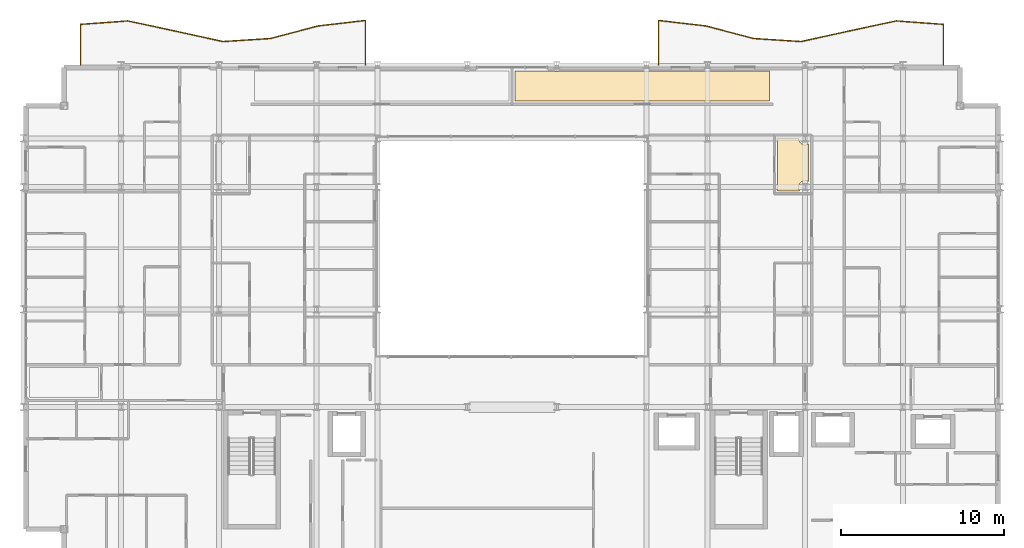
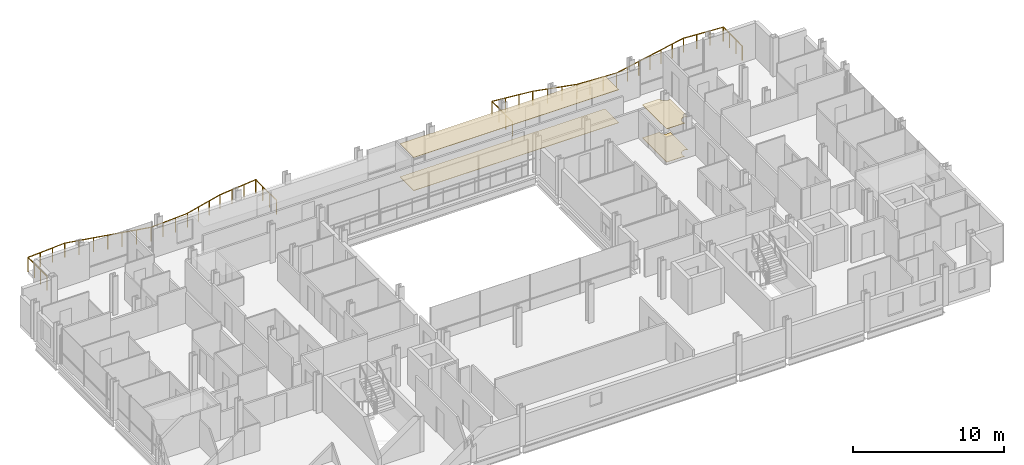
# One storey, part 41 of 41: 4 coverings, 2 railings.
"""IFC4 building model written with IfcOpenShell, lengths in metres."""

from ifc_helpers import new_model, si_unit, direction, frame, origin, origin_2d, place, context, subcontext, project, spatial, polyline, circle, outline, extrude, material, layer, layer_set, type_object, element, save


model = new_model("IFC4")

# Units and contexts
model_context = context("Model", 3, precision=1e-05, world=origin(), true_north=direction((0.0, 1.0)))
body_context = subcontext(model_context, "Body", "Model", "MODEL_VIEW")
ifc_project = project(units=[si_unit("LENGTHUNIT", "METRE"), si_unit("AREAUNIT", "SQUARE_METRE"), si_unit("VOLUMEUNIT", "CUBIC_METRE"), si_unit("PLANEANGLEUNIT", "RADIAN"), si_unit("MASSUNIT", "GRAM", prefix="KILO")], contexts=[model_context])

# Site, building, storey
site_placement = place(None, origin())
site = spatial("IfcSite", under=ifc_project, at=site_placement, CompositionType="ELEMENT")
building_placement = place(site_placement, origin())
building = spatial("IfcBuilding", under=site, at=building_placement, Name="Brevholm Reach", CompositionType="ELEMENT")
storey_placement = place(building_placement, frame((0.0, 0.0, 74.5)))
storey = spatial("IfcBuildingStorey", under=building, at=storey_placement, Name="L21", CompositionType="ELEMENT", Elevation=74.5)

# Coverings
ifc_material_1 = material(Name="Moisture-Resistant Skimmed Gypsum Plasterboard Ceiling", Category="gypsum")
ifc_layer_1 = layer(ifc_material_1, 0.030029296875)
ifc_layer_set_1 = layer_set([ifc_layer_1], Name="Moisture-Resistant Skimmed Gypsum Plasterboard Ceiling")
covering_type_1 = type_object("IfcCoveringType", Name="COV-CLG-GYP", PredefinedType="CEILING", material=ifc_layer_set_1)
covering_1_placement = place(storey_placement, frame((0.0, 0.0, 2.669921875)))
element("IfcCovering", 1, at=covering_1_placement, inside=storey, type_object=covering_type_1, Name="L21 Suspended Ceiling L21-59", PredefinedType="CEILING", context=body_context, shape_type="SweptSolid", body=[
    extrude(outline(polyline([(46.2919921875, 26.51611328125), (47.600830078125, 26.51611328125), (47.60009765625, 26.5), (47.601806640625, 26.460693359375), (47.607666015625, 26.422119140625), (47.6171875, 26.3837890625), (47.63037109375, 26.346923828125), (47.647216796875, 26.311279296875), (47.66748046875, 26.27783203125), (47.69091796875, 26.24609375), (47.71728515625, 26.21728515625), (47.74609375, 26.19091796875), (47.77783203125, 26.16748046875), (47.811279296875, 26.147216796875), (47.846923828125, 26.13037109375), (47.8837890625, 26.1171875), (47.922119140625, 26.107666015625), (47.960693359375, 26.101806640625), (48.0, 26.10009765625), (48.039306640625, 26.101806640625), (48.077880859375, 26.107666015625), (48.1162109375, 26.1171875), (48.153076171875, 26.13037109375), (48.188720703125, 26.147216796875), (48.216064453125, 26.163818359375), (48.216064453125, 23.836181640625), (48.188720703125, 23.852783203125), (48.153076171875, 23.86962890625), (48.1162109375, 23.8828125), (48.077880859375, 23.892333984375), (48.039306640625, 23.898193359375), (48.0, 23.89990234375), (47.960693359375, 23.898193359375), (47.922119140625, 23.892333984375), (47.8837890625, 23.8828125), (47.846923828125, 23.86962890625), (47.811279296875, 23.852783203125), (47.77783203125, 23.83251953125), (47.74609375, 23.80908203125), (47.71728515625, 23.78271484375), (47.69091796875, 23.75390625), (47.66748046875, 23.72216796875), (47.647216796875, 23.688720703125), (47.63037109375, 23.653076171875), (47.6171875, 23.6162109375), (47.607666015625, 23.577880859375), (47.601806640625, 23.539306640625), (47.60009765625, 23.5), (47.601806640625, 23.460693359375), (47.607666015625, 23.422119140625), (47.6171875, 23.3837890625), (47.63037109375, 23.346923828125), (47.647216796875, 23.311279296875), (47.666015625, 23.280029296875), (46.2919921875, 23.280029296875), (46.2919921875, 26.51611328125)])), origin(), (0.0, 0.0, 1.0), 0.030029296875),
])
covering_2_placement = place(storey_placement, frame((0.0, 0.0, 2.669921875)))
element("IfcCovering", 2, at=covering_2_placement, inside=storey, type_object=covering_type_1, Name="L21 Suspended Ceiling L21-76", PredefinedType="CEILING", context=body_context, shape_type="SweptSolid", body=[
    extrude(outline(polyline([(32.626220703125, 30.6201171875), (32.6337890625, 30.6171875), (32.672119140625, 30.607666015625), (32.710693359375, 30.601806640625), (32.75, 30.60009765625), (32.789306640625, 30.601806640625), (32.827880859375, 30.607666015625), (32.8662109375, 30.6171875), (32.873779296875, 30.6201171875), (38.126220703125, 30.6201171875), (38.1337890625, 30.6171875), (38.172119140625, 30.607666015625), (38.210693359375, 30.601806640625), (38.25, 30.60009765625), (38.289306640625, 30.601806640625), (38.327880859375, 30.607666015625), (38.3662109375, 30.6171875), (38.373779296875, 30.6201171875), (41.876220703125, 30.6201171875), (41.8837890625, 30.6171875), (41.922119140625, 30.607666015625), (41.960693359375, 30.601806640625), (42.0, 30.60009765625), (42.039306640625, 30.601806640625), (42.077880859375, 30.607666015625), (42.1162109375, 30.6171875), (42.123779296875, 30.6201171875), (45.820068359375, 30.6201171875), (45.820068359375, 28.783935546875), (30.18408203125, 28.783935546875), (30.18408203125, 30.6201171875), (32.626220703125, 30.6201171875)])), origin(), (0.0, 0.0, 1.0), 0.030029296875),
])
ifc_material_2 = material(Name="Engineered European Oak Acoustic Plank Flooring", Category="timber")
ifc_layer_2 = layer(ifc_material_2, 0.02197265625)
ifc_layer_set_2 = layer_set([ifc_layer_2], Name="Engineered European Oak Acoustic Plank Flooring")
covering_type_2 = type_object("IfcCoveringType", Name="COV-FLR-OAK", PredefinedType="FLOORING", material=ifc_layer_set_2)
covering_3_placement = place(storey_placement, origin())
element("IfcCovering", 3, at=covering_3_placement, inside=storey, type_object=covering_type_2, Name="L21 Floor Finish L21-59", PredefinedType="FLOORING", context=body_context, shape_type="SweptSolid", body=[
    extrude(outline(polyline([(46.2919921875, 26.51611328125), (47.600830078125, 26.51611328125), (47.60009765625, 26.5), (47.601806640625, 26.460693359375), (47.607666015625, 26.422119140625), (47.6171875, 26.3837890625), (47.63037109375, 26.346923828125), (47.647216796875, 26.311279296875), (47.66748046875, 26.27783203125), (47.69091796875, 26.24609375), (47.71728515625, 26.21728515625), (47.74609375, 26.19091796875), (47.77783203125, 26.16748046875), (47.811279296875, 26.147216796875), (47.846923828125, 26.13037109375), (47.8837890625, 26.1171875), (47.922119140625, 26.107666015625), (47.960693359375, 26.101806640625), (48.0, 26.10009765625), (48.039306640625, 26.101806640625), (48.077880859375, 26.107666015625), (48.1162109375, 26.1171875), (48.153076171875, 26.13037109375), (48.188720703125, 26.147216796875), (48.216064453125, 26.163818359375), (48.216064453125, 23.836181640625), (48.188720703125, 23.852783203125), (48.153076171875, 23.86962890625), (48.1162109375, 23.8828125), (48.077880859375, 23.892333984375), (48.039306640625, 23.898193359375), (48.0, 23.89990234375), (47.960693359375, 23.898193359375), (47.922119140625, 23.892333984375), (47.8837890625, 23.8828125), (47.846923828125, 23.86962890625), (47.811279296875, 23.852783203125), (47.77783203125, 23.83251953125), (47.74609375, 23.80908203125), (47.71728515625, 23.78271484375), (47.69091796875, 23.75390625), (47.66748046875, 23.72216796875), (47.647216796875, 23.688720703125), (47.63037109375, 23.653076171875), (47.6171875, 23.6162109375), (47.607666015625, 23.577880859375), (47.601806640625, 23.539306640625), (47.60009765625, 23.5), (47.601806640625, 23.460693359375), (47.607666015625, 23.422119140625), (47.6171875, 23.3837890625), (47.63037109375, 23.346923828125), (47.647216796875, 23.311279296875), (47.666015625, 23.280029296875), (46.2919921875, 23.280029296875), (46.2919921875, 26.51611328125)])), origin(), (0.0, 0.0, 1.0), 0.02197265625),
])
ifc_material_3 = material(Name="Honed Portland-Aggregate Resin Terrazzo Flooring", Category="concrete")
ifc_layer_3 = layer(ifc_material_3, 0.031982421875)
ifc_layer_set_3 = layer_set([ifc_layer_3], Name="Honed Portland-Aggregate Resin Terrazzo Flooring")
covering_type_3 = type_object("IfcCoveringType", Name="COV-FLR-TRZ", PredefinedType="FLOORING", material=ifc_layer_set_3)
covering_4_placement = place(storey_placement, origin())
element("IfcCovering", 4, at=covering_4_placement, inside=storey, type_object=covering_type_3, Name="L21 Floor Finish L21-76", PredefinedType="FLOORING", context=body_context, shape_type="SweptSolid", body=[
    extrude(outline(polyline([(32.626220703125, 30.6201171875), (32.6337890625, 30.6171875), (32.672119140625, 30.607666015625), (32.710693359375, 30.601806640625), (32.75, 30.60009765625), (32.789306640625, 30.601806640625), (32.827880859375, 30.607666015625), (32.8662109375, 30.6171875), (32.873779296875, 30.6201171875), (38.126220703125, 30.6201171875), (38.1337890625, 30.6171875), (38.172119140625, 30.607666015625), (38.210693359375, 30.601806640625), (38.25, 30.60009765625), (38.289306640625, 30.601806640625), (38.327880859375, 30.607666015625), (38.3662109375, 30.6171875), (38.373779296875, 30.6201171875), (41.876220703125, 30.6201171875), (41.8837890625, 30.6171875), (41.922119140625, 30.607666015625), (41.960693359375, 30.601806640625), (42.0, 30.60009765625), (42.039306640625, 30.601806640625), (42.077880859375, 30.607666015625), (42.1162109375, 30.6171875), (42.123779296875, 30.6201171875), (45.820068359375, 30.6201171875), (45.820068359375, 28.783935546875), (30.18408203125, 28.783935546875), (30.18408203125, 30.6201171875), (32.626220703125, 30.6201171875)])), origin(), (0.0, 0.0, 1.0), 0.031982421875),
])

# Railings
ifc_material_4 = material(Name="Brushed Stainless Steel EN 1.4401 and Laminated Glass", Category="steel")
railing_type = type_object("IfcRailingType", Name="RAL-BALC-1150", PredefinedType="BALUSTRADE", material=ifc_material_4)
railing_1_placement = place(storey_placement, frame((56.5, 31.0, 0.0)))
element("IfcRailing", 5, at=railing_1_placement, inside=storey, type_object=railing_type, Name="L21 Guard Balustrade RAL-L21-BAL-NE", PredefinedType="BALUSTRADE", context=body_context, shape_type="SweptSolid", body=[
    extrude(circle(Radius=0.02392578125, at=origin_2d()), frame((0.0, 0.0, 1.1259765625), z_axis=(0.0, 1.0, 0.0), x_axis=(-1.0, 0.0, 0.0)), (0.0, 0.0, 1.0), 2.499755859375),
    extrude(circle(Radius=0.02392578125, at=origin_2d()), frame((0.0, 2.499755859375, 1.1259765625), z_axis=(-0.997334760815, 0.072961461535, 0.0), x_axis=(-0.072961461535, -0.997334760815, 0.0)), (0.0, 0.0, 1.0), 2.924560546875),
    extrude(circle(Radius=0.02392578125, at=origin_2d()), frame((-2.916748046875, 2.713134765625, 1.1259765625), z_axis=(-0.977716094956, -0.209931507079, 0.0), x_axis=(0.209931507079, -0.977716094956, 0.0)), (0.0, 0.0, 1.0), 2.98291015625),
    extrude(circle(Radius=0.02392578125, at=origin_2d()), frame((-5.833251953125, 2.0869140625, 1.1259765625), z_axis=(-0.976615982801, -0.214991214093, 0.0), x_axis=(0.214991214093, -0.976615982801, 0.0)), (0.0, 0.0, 1.0), 2.986572265625),
    extrude(circle(Radius=0.02392578125, at=origin_2d()), frame((-8.75, 1.44482421875, 1.1259765625), z_axis=(-0.997945514781, 0.06406831923, 0.0), x_axis=(-0.06406831923, -0.997945514781, 0.0)), (0.0, 0.0, 1.0), 2.9228515625),
    extrude(circle(Radius=0.02392578125, at=origin_2d()), frame((-11.666748046875, 1.632080078125, 1.1259765625), z_axis=(-0.966868735292, 0.255274065889, 0.0), x_axis=(-0.255274065889, -0.966868735292, 0.0)), (0.0, 0.0, 1.0), 3.016357421875),
    extrude(circle(Radius=0.02392578125, at=origin_2d()), frame((-14.583251953125, 2.402099609375, 1.1259765625), z_axis=(-0.99329006652, 0.11564965954, 0.0), x_axis=(-0.11564965954, -0.99329006652, 0.0)), (0.0, 0.0, 1.0), 2.9365234375),
    extrude(circle(Radius=0.02392578125, at=origin_2d()), frame((-17.5, 2.74169921875, 1.1259765625), z_axis=(0.0, -1.0, 0.0), x_axis=(1.0, 0.0, 0.0)), (0.0, 0.0, 1.0), 2.74169921875),
    extrude(circle(Radius=0.02099609375, at=origin_2d()), origin(), (0.0, 0.0, 1.0), 1.101806640625),
    extrude(circle(Radius=0.02099609375, at=origin_2d()), frame((0.0, 0.833251953125, 0.0)), (0.0, 0.0, 1.0), 1.101806640625),
    extrude(circle(Radius=0.02099609375, at=origin_2d()), frame((0.0, 1.66650390625, 0.0)), (0.0, 0.0, 1.0), 1.101806640625),
    extrude(circle(Radius=0.02099609375, at=origin_2d()), frame((0.0, 2.499755859375, 0.0)), (0.0, 0.0, 1.0), 1.101806640625),
    extrude(circle(Radius=0.02099609375, at=origin_2d()), frame((-0.97216796875, 2.57080078125, 0.0)), (0.0, 0.0, 1.0), 1.101806640625),
    extrude(circle(Radius=0.02099609375, at=origin_2d()), frame((-1.944580078125, 2.64208984375, 0.0)), (0.0, 0.0, 1.0), 1.101806640625),
    extrude(circle(Radius=0.02099609375, at=origin_2d()), frame((-2.916748046875, 2.713134765625, 0.0)), (0.0, 0.0, 1.0), 1.101806640625),
    extrude(circle(Radius=0.02099609375, at=origin_2d()), frame((-3.888916015625, 2.50439453125, 0.0)), (0.0, 0.0, 1.0), 1.101806640625),
    extrude(circle(Radius=0.02099609375, at=origin_2d()), frame((-4.861083984375, 2.295654296875, 0.0)), (0.0, 0.0, 1.0), 1.101806640625),
    extrude(circle(Radius=0.02099609375, at=origin_2d()), frame((-5.833251953125, 2.0869140625, 0.0)), (0.0, 0.0, 1.0), 1.101806640625),
    extrude(circle(Radius=0.02099609375, at=origin_2d()), frame((-6.805419921875, 1.872802734375, 0.0)), (0.0, 0.0, 1.0), 1.101806640625),
    extrude(circle(Radius=0.02099609375, at=origin_2d()), frame((-7.77783203125, 1.658935546875, 0.0)), (0.0, 0.0, 1.0), 1.101806640625),
    extrude(circle(Radius=0.02099609375, at=origin_2d()), frame((-8.75, 1.44482421875, 0.0)), (0.0, 0.0, 1.0), 1.101806640625),
    extrude(circle(Radius=0.02099609375, at=origin_2d()), frame((-9.72216796875, 1.50732421875, 0.0)), (0.0, 0.0, 1.0), 1.101806640625),
    extrude(circle(Radius=0.02099609375, at=origin_2d()), frame((-10.694580078125, 1.569580078125, 0.0)), (0.0, 0.0, 1.0), 1.101806640625),
    extrude(circle(Radius=0.02099609375, at=origin_2d()), frame((-11.666748046875, 1.632080078125, 0.0)), (0.0, 0.0, 1.0), 1.101806640625),
    extrude(circle(Radius=0.02099609375, at=origin_2d()), frame((-12.638916015625, 1.888671875, 0.0)), (0.0, 0.0, 1.0), 1.101806640625),
    extrude(circle(Radius=0.02099609375, at=origin_2d()), frame((-13.611083984375, 2.1455078125, 0.0)), (0.0, 0.0, 1.0), 1.101806640625),
    extrude(circle(Radius=0.02099609375, at=origin_2d()), frame((-14.583251953125, 2.402099609375, 0.0)), (0.0, 0.0, 1.0), 1.101806640625),
    extrude(circle(Radius=0.02099609375, at=origin_2d()), frame((-15.555419921875, 2.515380859375, 0.0)), (0.0, 0.0, 1.0), 1.101806640625),
    extrude(circle(Radius=0.02099609375, at=origin_2d()), frame((-16.52783203125, 2.62841796875, 0.0)), (0.0, 0.0, 1.0), 1.101806640625),
    extrude(circle(Radius=0.02099609375, at=origin_2d()), frame((-17.5, 2.74169921875, 0.0)), (0.0, 0.0, 1.0), 1.101806640625),
    extrude(circle(Radius=0.02099609375, at=origin_2d()), frame((-17.5, 1.827880859375, 0.0)), (0.0, 0.0, 1.0), 1.101806640625),
    extrude(circle(Radius=0.02099609375, at=origin_2d()), frame((-17.5, 0.913818359375, 0.0)), (0.0, 0.0, 1.0), 1.101806640625),
    extrude(circle(Radius=0.02099609375, at=origin_2d()), frame((-17.5, 0.0, 0.0)), (0.0, 0.0, 1.0), 1.101806640625),
])
railing_2_placement = place(storey_placement, frame((21.0, 31.0, 0.0)))
element("IfcRailing", 6, at=railing_2_placement, inside=storey, type_object=railing_type, Name="L21 Guard Balustrade RAL-L21-BAL-NW", PredefinedType="BALUSTRADE", context=body_context, shape_type="SweptSolid", body=[
    extrude(circle(Radius=0.02392578125, at=origin_2d()), frame((0.0, 0.0, 1.1259765625), z_axis=(0.0, 1.0, 0.0), x_axis=(-1.0, 0.0, 0.0)), (0.0, 0.0, 1.0), 2.74169921875),
    extrude(circle(Radius=0.02392578125, at=origin_2d()), frame((0.0, 2.74169921875, 1.1259765625), z_axis=(-0.99329006652, -0.11564965954, 0.0), x_axis=(0.11564965954, -0.99329006652, 0.0)), (0.0, 0.0, 1.0), 2.9365234375),
    extrude(circle(Radius=0.02392578125, at=origin_2d()), frame((-2.916748046875, 2.402099609375, 1.1259765625), z_axis=(-0.966868735292, -0.255274065889, 0.0), x_axis=(0.255274065889, -0.966868735292, 0.0)), (0.0, 0.0, 1.0), 3.016357421875),
    extrude(circle(Radius=0.02392578125, at=origin_2d()), frame((-5.833251953125, 1.632080078125, 1.1259765625), z_axis=(-0.997945514781, -0.06406831923, 0.0), x_axis=(0.06406831923, -0.997945514781, 0.0)), (0.0, 0.0, 1.0), 2.9228515625),
    extrude(circle(Radius=0.02392578125, at=origin_2d()), frame((-8.75, 1.44482421875, 1.1259765625), z_axis=(-0.976615982801, 0.214991214093, 0.0), x_axis=(-0.214991214093, -0.976615982801, 0.0)), (0.0, 0.0, 1.0), 2.986572265625),
    extrude(circle(Radius=0.02392578125, at=origin_2d()), frame((-11.666748046875, 2.0869140625, 1.1259765625), z_axis=(-0.977716094956, 0.209931507079, 0.0), x_axis=(-0.209931507079, -0.977716094956, 0.0)), (0.0, 0.0, 1.0), 2.98291015625),
    extrude(circle(Radius=0.02392578125, at=origin_2d()), frame((-14.583251953125, 2.713134765625, 1.1259765625), z_axis=(-0.997334760815, -0.072961461535, 0.0), x_axis=(0.072961461535, -0.997334760815, 0.0)), (0.0, 0.0, 1.0), 2.924560546875),
    extrude(circle(Radius=0.02392578125, at=origin_2d()), frame((-17.5, 2.499755859375, 1.1259765625), z_axis=(0.0, -1.0, 0.0), x_axis=(1.0, 0.0, 0.0)), (0.0, 0.0, 1.0), 2.499755859375),
    extrude(circle(Radius=0.02099609375, at=origin_2d()), origin(), (0.0, 0.0, 1.0), 1.101806640625),
    extrude(circle(Radius=0.02099609375, at=origin_2d()), frame((0.0, 0.913818359375, 0.0)), (0.0, 0.0, 1.0), 1.101806640625),
    extrude(circle(Radius=0.02099609375, at=origin_2d()), frame((0.0, 1.827880859375, 0.0)), (0.0, 0.0, 1.0), 1.101806640625),
    extrude(circle(Radius=0.02099609375, at=origin_2d()), frame((0.0, 2.74169921875, 0.0)), (0.0, 0.0, 1.0), 1.101806640625),
    extrude(circle(Radius=0.02099609375, at=origin_2d()), frame((-0.97216796875, 2.62841796875, 0.0)), (0.0, 0.0, 1.0), 1.101806640625),
    extrude(circle(Radius=0.02099609375, at=origin_2d()), frame((-1.944580078125, 2.515380859375, 0.0)), (0.0, 0.0, 1.0), 1.101806640625),
    extrude(circle(Radius=0.02099609375, at=origin_2d()), frame((-2.916748046875, 2.402099609375, 0.0)), (0.0, 0.0, 1.0), 1.101806640625),
    extrude(circle(Radius=0.02099609375, at=origin_2d()), frame((-3.888916015625, 2.1455078125, 0.0)), (0.0, 0.0, 1.0), 1.101806640625),
    extrude(circle(Radius=0.02099609375, at=origin_2d()), frame((-4.861083984375, 1.888671875, 0.0)), (0.0, 0.0, 1.0), 1.101806640625),
    extrude(circle(Radius=0.02099609375, at=origin_2d()), frame((-5.833251953125, 1.632080078125, 0.0)), (0.0, 0.0, 1.0), 1.101806640625),
    extrude(circle(Radius=0.02099609375, at=origin_2d()), frame((-6.805419921875, 1.569580078125, 0.0)), (0.0, 0.0, 1.0), 1.101806640625),
    extrude(circle(Radius=0.02099609375, at=origin_2d()), frame((-7.77783203125, 1.50732421875, 0.0)), (0.0, 0.0, 1.0), 1.101806640625),
    extrude(circle(Radius=0.02099609375, at=origin_2d()), frame((-8.75, 1.44482421875, 0.0)), (0.0, 0.0, 1.0), 1.101806640625),
    extrude(circle(Radius=0.02099609375, at=origin_2d()), frame((-9.72216796875, 1.658935546875, 0.0)), (0.0, 0.0, 1.0), 1.101806640625),
    extrude(circle(Radius=0.02099609375, at=origin_2d()), frame((-10.694580078125, 1.872802734375, 0.0)), (0.0, 0.0, 1.0), 1.101806640625),
    extrude(circle(Radius=0.02099609375, at=origin_2d()), frame((-11.666748046875, 2.0869140625, 0.0)), (0.0, 0.0, 1.0), 1.101806640625),
    extrude(circle(Radius=0.02099609375, at=origin_2d()), frame((-12.638916015625, 2.295654296875, 0.0)), (0.0, 0.0, 1.0), 1.101806640625),
    extrude(circle(Radius=0.02099609375, at=origin_2d()), frame((-13.611083984375, 2.50439453125, 0.0)), (0.0, 0.0, 1.0), 1.101806640625),
    extrude(circle(Radius=0.02099609375, at=origin_2d()), frame((-14.583251953125, 2.713134765625, 0.0)), (0.0, 0.0, 1.0), 1.101806640625),
    extrude(circle(Radius=0.02099609375, at=origin_2d()), frame((-15.555419921875, 2.64208984375, 0.0)), (0.0, 0.0, 1.0), 1.101806640625),
    extrude(circle(Radius=0.02099609375, at=origin_2d()), frame((-16.52783203125, 2.57080078125, 0.0)), (0.0, 0.0, 1.0), 1.101806640625),
    extrude(circle(Radius=0.02099609375, at=origin_2d()), frame((-17.5, 2.499755859375, 0.0)), (0.0, 0.0, 1.0), 1.101806640625),
    extrude(circle(Radius=0.02099609375, at=origin_2d()), frame((-17.5, 1.66650390625, 0.0)), (0.0, 0.0, 1.0), 1.101806640625),
    extrude(circle(Radius=0.02099609375, at=origin_2d()), frame((-17.5, 0.833251953125, 0.0)), (0.0, 0.0, 1.0), 1.101806640625),
    extrude(circle(Radius=0.02099609375, at=origin_2d()), frame((-17.5, 0.0, 0.0)), (0.0, 0.0, 1.0), 1.101806640625),
])

save(model, "model.ifc")
